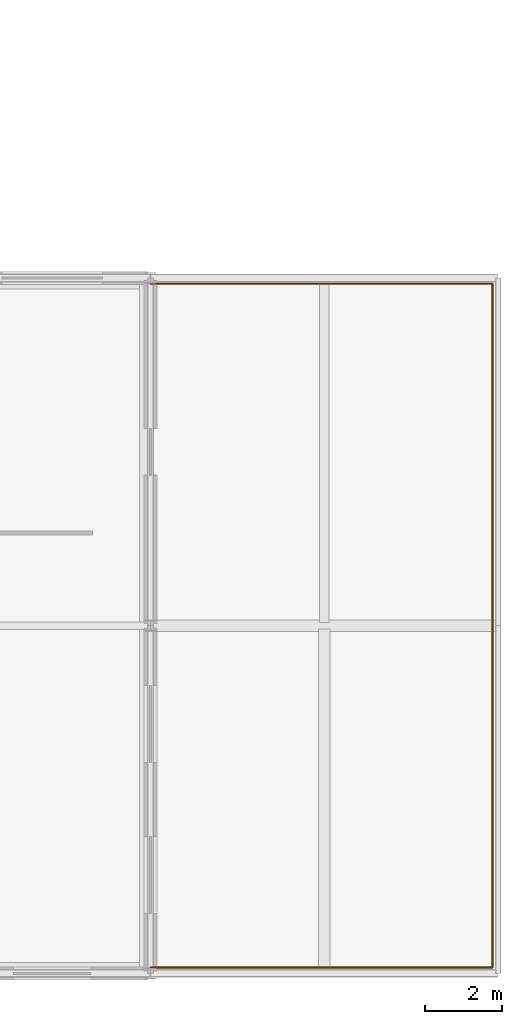
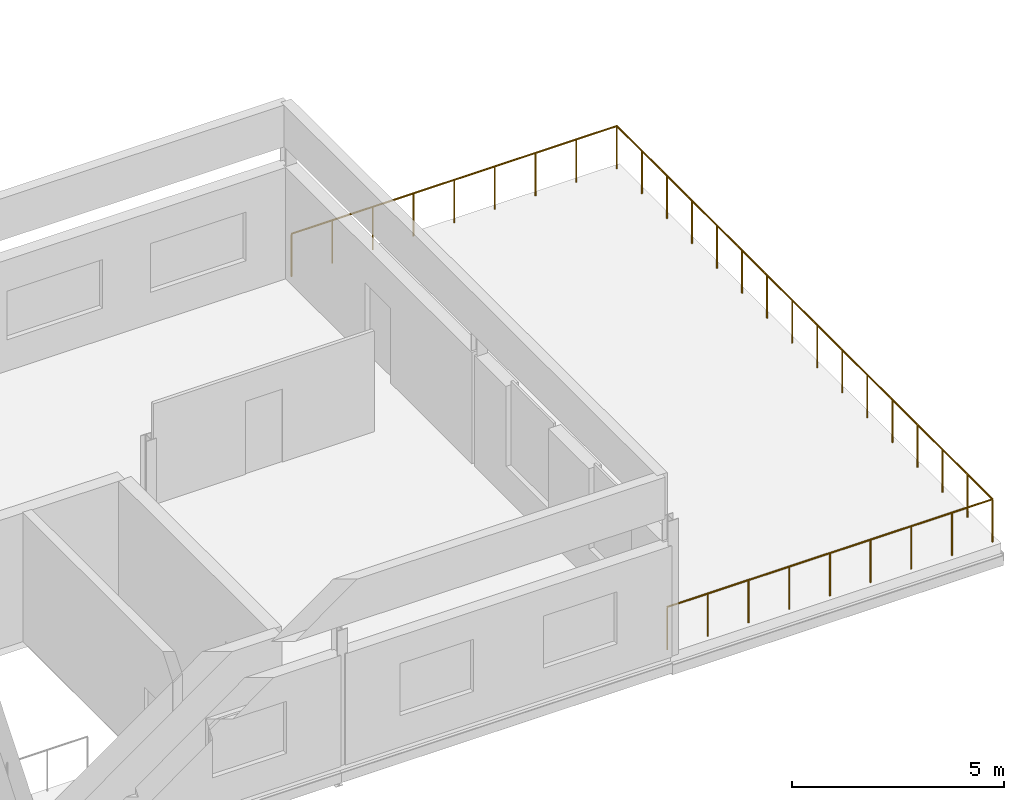
# One storey, part 17 of 18: 1 railing.
"""IFC4 building model written with IfcOpenShell, lengths in metres."""

from ifc_helpers import new_model, si_unit, direction, frame, origin, origin_2d, place, context, subcontext, project, spatial, circle, extrude, material, type_object, element, save


model = new_model("IFC4")

# Units and contexts
model_context = context("Model", 3, precision=1e-05, world=origin(), true_north=direction((0.0, 1.0)))
body_context = subcontext(model_context, "Body", "Model", "MODEL_VIEW")
ifc_project = project(units=[si_unit("LENGTHUNIT", "METRE"), si_unit("AREAUNIT", "SQUARE_METRE"), si_unit("VOLUMEUNIT", "CUBIC_METRE"), si_unit("PLANEANGLEUNIT", "RADIAN"), si_unit("MASSUNIT", "GRAM", prefix="KILO")], contexts=[model_context])

# Site, building, storey
site_placement = place(None, origin())
site = spatial("IfcSite", under=ifc_project, at=site_placement, CompositionType="ELEMENT")
building_placement = place(site_placement, origin())
building = spatial("IfcBuilding", under=site, at=building_placement, Name="Kildeholm Park Wholesale Market", CompositionType="ELEMENT")
storey_placement = place(building_placement, frame((0.0, 0.0, 13.5)))
storey = spatial("IfcBuildingStorey", under=building, at=storey_placement, Name="L03", CompositionType="ELEMENT", Elevation=13.5)

# Railing
ifc_material = material(Name="Painted galvanized steel and ceramic balustrade", Category="steel")
railing_type = type_object("IfcRailingType", Name="Park terrace ornamental balustrade GR-EX2 1250 mm", PredefinedType="GUARDRAIL", material=ifc_material)
railing_placement = place(storey_placement, frame((189.0, 0.14990234375, 0.0)))
element("IfcRailing", 1, at=railing_placement, inside=storey, type_object=railing_type, Name="V5E L03 east terrace balustrade RLG-0009", PredefinedType="GUARDRAIL", context=body_context, shape_type="SweptSolid", body=[
    extrude(circle(Radius=0.02392578125, at=origin_2d()), frame((0.0, 0.0, 1.22607421875), z_axis=(1.0, 0.0, 0.0), x_axis=(0.0, 1.0, 0.0)), (0.0, 0.0, 1.0), 8.85009765625),
    extrude(circle(Radius=0.02392578125, at=origin_2d()), frame((8.85009765625, 0.0, 1.22607421875), z_axis=(0.0, 1.0, 0.0), x_axis=(-1.0, 0.0, 0.0)), (0.0, 0.0, 1.0), 17.7001953125),
    extrude(circle(Radius=0.02392578125, at=origin_2d()), frame((8.85009765625, 17.7001953125, 1.22607421875), z_axis=(-1.0, 0.0, 0.0), x_axis=(0.0, -1.0, 0.0)), (0.0, 0.0, 1.0), 8.85009765625),
    extrude(circle(Radius=0.02099609375, at=origin_2d()), origin(), (0.0, 0.0, 1.0), 1.201904296875),
    extrude(circle(Radius=0.02099609375, at=origin_2d()), frame((1.106201171875, 0.0, 0.0)), (0.0, 0.0, 1.0), 1.201904296875),
    extrude(circle(Radius=0.02099609375, at=origin_2d()), frame((2.21240234375, 0.0, 0.0)), (0.0, 0.0, 1.0), 1.201904296875),
    extrude(circle(Radius=0.02099609375, at=origin_2d()), frame((3.31884765625, 0.0, 0.0)), (0.0, 0.0, 1.0), 1.201904296875),
    extrude(circle(Radius=0.02099609375, at=origin_2d()), frame((4.425048828125, 0.0, 0.0)), (0.0, 0.0, 1.0), 1.201904296875),
    extrude(circle(Radius=0.02099609375, at=origin_2d()), frame((5.53125, 0.0, 0.0)), (0.0, 0.0, 1.0), 1.201904296875),
    extrude(circle(Radius=0.02099609375, at=origin_2d()), frame((6.6376953125, 0.0, 0.0)), (0.0, 0.0, 1.0), 1.201904296875),
    extrude(circle(Radius=0.02099609375, at=origin_2d()), frame((7.743896484375, 0.0, 0.0)), (0.0, 0.0, 1.0), 1.201904296875),
    extrude(circle(Radius=0.02099609375, at=origin_2d()), frame((8.85009765625, 0.0, 0.0)), (0.0, 0.0, 1.0), 1.201904296875),
    extrude(circle(Radius=0.02099609375, at=origin_2d()), frame((8.85009765625, 1.179931640625, 0.0)), (0.0, 0.0, 1.0), 1.201904296875),
    extrude(circle(Radius=0.02099609375, at=origin_2d()), frame((8.85009765625, 2.360107421875, 0.0)), (0.0, 0.0, 1.0), 1.201904296875),
    extrude(circle(Radius=0.02099609375, at=origin_2d()), frame((8.85009765625, 3.5400390625, 0.0)), (0.0, 0.0, 1.0), 1.201904296875),
    extrude(circle(Radius=0.02099609375, at=origin_2d()), frame((8.85009765625, 4.719970703125, 0.0)), (0.0, 0.0, 1.0), 1.201904296875),
    extrude(circle(Radius=0.02099609375, at=origin_2d()), frame((8.85009765625, 5.900146484375, 0.0)), (0.0, 0.0, 1.0), 1.201904296875),
    extrude(circle(Radius=0.02099609375, at=origin_2d()), frame((8.85009765625, 7.080078125, 0.0)), (0.0, 0.0, 1.0), 1.201904296875),
    extrude(circle(Radius=0.02099609375, at=origin_2d()), frame((8.85009765625, 8.260009765625, 0.0)), (0.0, 0.0, 1.0), 1.201904296875),
    extrude(circle(Radius=0.02099609375, at=origin_2d()), frame((8.85009765625, 9.440185546875, 0.0)), (0.0, 0.0, 1.0), 1.201904296875),
    extrude(circle(Radius=0.02099609375, at=origin_2d()), frame((8.85009765625, 10.6201171875, 0.0)), (0.0, 0.0, 1.0), 1.201904296875),
    extrude(circle(Radius=0.02099609375, at=origin_2d()), frame((8.85009765625, 11.800048828125, 0.0)), (0.0, 0.0, 1.0), 1.201904296875),
    extrude(circle(Radius=0.02099609375, at=origin_2d()), frame((8.85009765625, 12.980224609375, 0.0)), (0.0, 0.0, 1.0), 1.201904296875),
    extrude(circle(Radius=0.02099609375, at=origin_2d()), frame((8.85009765625, 14.16015625, 0.0)), (0.0, 0.0, 1.0), 1.201904296875),
    extrude(circle(Radius=0.02099609375, at=origin_2d()), frame((8.85009765625, 15.340087890625, 0.0)), (0.0, 0.0, 1.0), 1.201904296875),
    extrude(circle(Radius=0.02099609375, at=origin_2d()), frame((8.85009765625, 16.520263671875, 0.0)), (0.0, 0.0, 1.0), 1.201904296875),
    extrude(circle(Radius=0.02099609375, at=origin_2d()), frame((8.85009765625, 17.7001953125, 0.0)), (0.0, 0.0, 1.0), 1.201904296875),
    extrude(circle(Radius=0.02099609375, at=origin_2d()), frame((7.743896484375, 17.7001953125, 0.0)), (0.0, 0.0, 1.0), 1.201904296875),
    extrude(circle(Radius=0.02099609375, at=origin_2d()), frame((6.6376953125, 17.7001953125, 0.0)), (0.0, 0.0, 1.0), 1.201904296875),
    extrude(circle(Radius=0.02099609375, at=origin_2d()), frame((5.53125, 17.7001953125, 0.0)), (0.0, 0.0, 1.0), 1.201904296875),
    extrude(circle(Radius=0.02099609375, at=origin_2d()), frame((4.425048828125, 17.7001953125, 0.0)), (0.0, 0.0, 1.0), 1.201904296875),
    extrude(circle(Radius=0.02099609375, at=origin_2d()), frame((3.31884765625, 17.7001953125, 0.0)), (0.0, 0.0, 1.0), 1.201904296875),
    extrude(circle(Radius=0.02099609375, at=origin_2d()), frame((2.21240234375, 17.7001953125, 0.0)), (0.0, 0.0, 1.0), 1.201904296875),
    extrude(circle(Radius=0.02099609375, at=origin_2d()), frame((1.106201171875, 17.7001953125, 0.0)), (0.0, 0.0, 1.0), 1.201904296875),
    extrude(circle(Radius=0.02099609375, at=origin_2d()), frame((0.0, 17.7001953125, 0.0)), (0.0, 0.0, 1.0), 1.201904296875),
])

save(model, "model.ifc")
